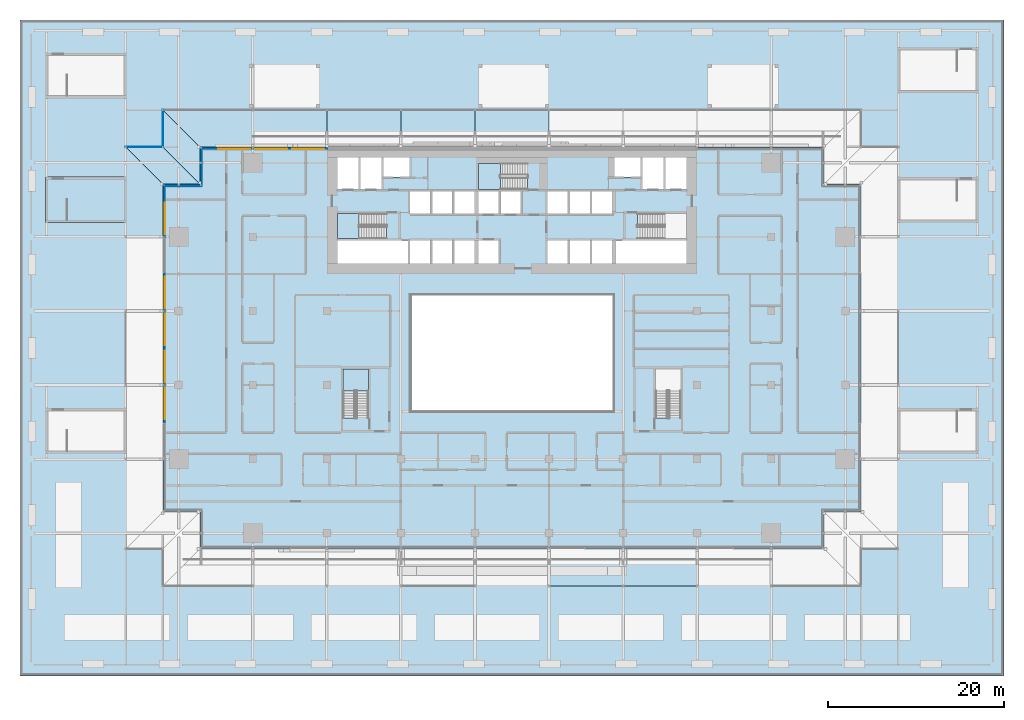
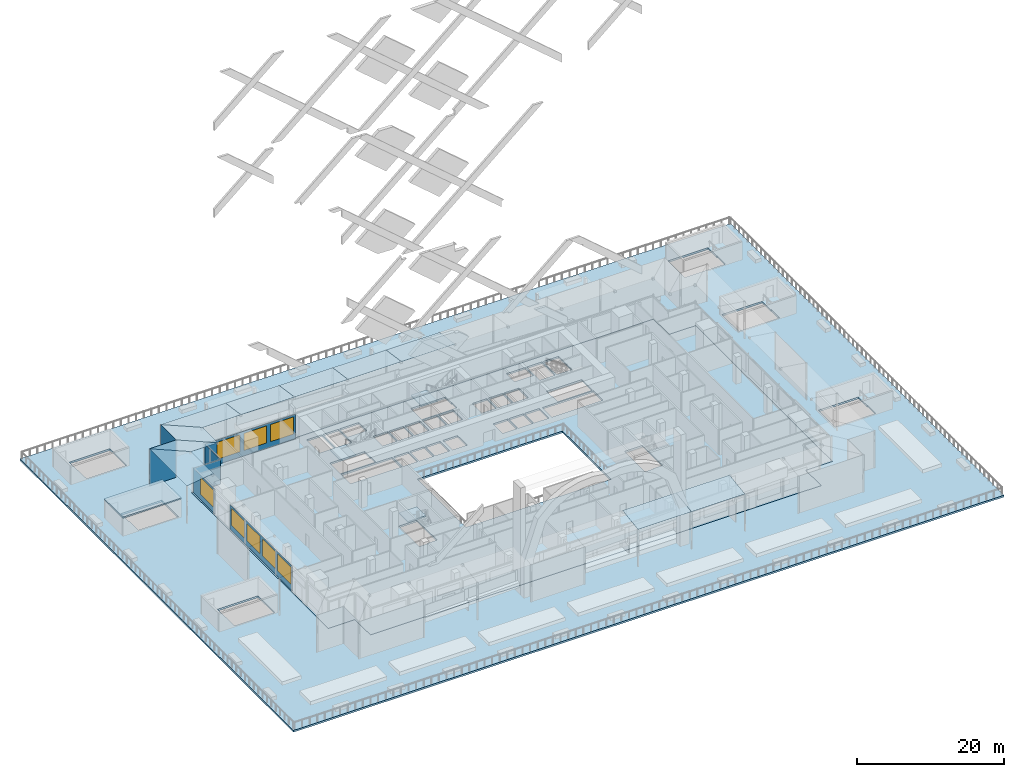
# One storey, part 19 of 60: 17 plates, 8 windows, 6 slabs, 8 openings, 7 elements without a shape of their own.
"""IFC4 building model written with IfcOpenShell, lengths in metres."""

from ifc_helpers import new_model, si_unit, direction, frame, frame_2d, origin, place, context, subcontext, project, spatial, polyline, rectangle, outline, extrude, material, layer, layer_set, type_object, element, fill, aggregate, save


model = new_model("IFC4")

# Units and contexts
model_context = context("Model", 3, precision=1e-05, world=origin(), true_north=direction((0.0, 1.0)))
body_context = subcontext(model_context, "Body", "Model", "MODEL_VIEW")
ifc_project = project(units=[si_unit("LENGTHUNIT", "METRE"), si_unit("AREAUNIT", "SQUARE_METRE"), si_unit("VOLUMEUNIT", "CUBIC_METRE"), si_unit("PLANEANGLEUNIT", "RADIAN"), si_unit("MASSUNIT", "GRAM", prefix="KILO")], contexts=[model_context])

# Site, building, storey
site_placement = place(None, origin())
site = spatial("IfcSite", under=ifc_project, at=site_placement, CompositionType="ELEMENT")
building_placement = place(site_placement, origin())
building = spatial("IfcBuilding", under=site, at=building_placement, Name="Saffron Gate Tower", CompositionType="ELEMENT")
storey_placement = place(building_placement, frame((0.0, 0.0, 19.199951171875)))
storey = spatial("IfcBuildingStorey", under=building, at=storey_placement, Name="L03", CompositionType="ELEMENT", Elevation=19.199951171875)

# Slab
ifc_material_1 = material(Name="Concrete C70", Category="concrete")
ifc_layer_1 = layer(ifc_material_1, 0.199951171875)
ifc_layer_set_1 = layer_set([ifc_layer_1], Name="CS2 Stair head-house roof slab 200")
slab_type_1 = type_object("IfcSlabType", Name="CS2 Stair head-house roof slab 200", PredefinedType="ROOF", material=ifc_layer_set_1)
slab_1_placement = place(storey_placement, frame((0.0, 0.0, 3.0)))
element("IfcSlab", 1, at=slab_1_placement, inside=storey, type_object=slab_type_1, Name="Stair head-house roof slab G", PredefinedType="ROOF", context=body_context, shape_type="SweptSolid", body=[
    extrude(outline(polyline([(34.699951171875, 67.02490234375), (43.89990234375, 67.02490234375), (43.89990234375, 72.175048828125), (34.699951171875, 72.175048828125), (34.699951171875, 67.02490234375)])), origin(), (0.0, 0.0, 1.0), 0.199951171875),
])

# Curtain wall, plate, openings, windows
ifc_material_2 = material(Name="Aluminium, bronze anodised", Category="aluminium")
curtain_wall_type = type_object("IfcCurtainWallType", Name="CWS6 curtain wall tall storeys", PredefinedType="NOTDEFINED", material=ifc_material_2)
curtain_wall_1_placement = place(storey_placement, origin())
curtain_wall_1 = element("IfcCurtainWall", 2, at=curtain_wall_1_placement, inside=storey, type_object=curtain_wall_type, Name="CWS6 run 7", PredefinedType="NOTDEFINED")
ifc_material_3 = material(Name="Fritted bronze-tinted laminated glass", Category="glass")
ifc_layer_2 = layer(ifc_material_3, 0.028076171875)
ifc_layer_set_2 = layer_set([ifc_layer_2], Name="CWS6 fixed glass")
plate_type_1 = type_object("IfcPlateType", Name="CWS6 fixed glass", PredefinedType="CURTAIN_PANEL", material=ifc_layer_set_2)
plate_1_placement = place(storey_placement, frame((66.639892578125, 75.385986328125, 0.0), z_axis=(0.0, 0.0, 1.0), x_axis=(-1.0, 0.0, 0.0)))
plate_1 = element("IfcPlate", 3, at=plate_1_placement, type_object=plate_type_1, Name="CWS6 glass panel", PredefinedType="CURTAIN_PANEL", context=body_context, shape_type="SweptSolid", body=[
    extrude(rectangle(XDim=14.2119140625, YDim=0.028076171875, at=frame_2d((7.10595703125, 0.0))), origin(), (0.0, 0.0, 1.0), 4.080078125),
])
opening_1_placement = place(plate_1_placement, frame((0.340087890625, 0.0, 0.89990234375)))
opening_1 = element("IfcOpeningElement", 4, at=opening_1_placement, cuts=plate_1, Name="Opening W3", PredefinedType="OPENING", context=body_context, shape_type="SweptSolid", body=[
    extrude(rectangle(XDim=3.60009765625, YDim=2.830078125, at=frame_2d((1.800048828125, 1.4150390625))), frame((0.0, 0.02392578125, 0.0), z_axis=(0.0, -1.0, 0.0), x_axis=(1.0, 0.0, 0.0)), (0.0, 0.0, 1.0), 0.048095703125),
])
opening_2_placement = place(plate_1_placement, frame((4.5400390625, 0.0, 0.89990234375)))
opening_2 = element("IfcOpeningElement", 5, at=opening_2_placement, cuts=plate_1, Name="Opening W3", PredefinedType="OPENING", context=body_context, shape_type="SweptSolid", body=[
    extrude(rectangle(XDim=3.60009765625, YDim=2.830078125, at=frame_2d((1.800048828125, 1.4150390625))), frame((0.0, 0.02392578125, 0.0), z_axis=(0.0, -1.0, 0.0), x_axis=(1.0, 0.0, 0.0)), (0.0, 0.0, 1.0), 0.048095703125),
])
opening_3_placement = place(plate_1_placement, frame((8.739990234375, 0.0, 0.89990234375)))
opening_3 = element("IfcOpeningElement", 6, at=opening_3_placement, cuts=plate_1, Name="Opening W3", PredefinedType="OPENING", context=body_context, shape_type="SweptSolid", body=[
    extrude(rectangle(XDim=3.60009765625, YDim=2.830078125, at=frame_2d((1.800048828125, 1.4150390625))), frame((0.0, 0.02392578125, 0.0), z_axis=(0.0, -1.0, 0.0), x_axis=(1.0, 0.0, 0.0)), (0.0, 0.0, 1.0), 0.048095703125),
])
ifc_material_4 = material(Name="Fritted bronze-tinted laminated glass in bronze frame", Category="glass")
ifc_layer_3 = layer(ifc_material_4, 0.06005859375)
ifc_layer_set_3 = layer_set([ifc_layer_3], Name="W3 operable panel 3600x2830")
window_type = type_object("IfcWindowType", Name="W3 operable panel 3600x2830", PartitioningType="DOUBLE_PANEL_HORIZONTAL", PredefinedType="WINDOW", material=ifc_layer_set_3)
window_1_placement = place(opening_1_placement, origin())
window_1 = element("IfcWindow", 7, at=window_1_placement, type_object=window_type, Name="W3 operable panel", OverallHeight=2.830078125, OverallWidth=3.60009765625, PartitioningType="SINGLE_PANEL", PredefinedType="WINDOW", context=body_context, shape_type="SweptSolid", body=[
    extrude(rectangle(XDim=3.60009765625, YDim=2.830078125, at=frame_2d((1.800048828125, 1.4150390625))), frame((0.0, 0.013671875, 0.0), z_axis=(0.0, -1.0, 0.0), x_axis=(1.0, 0.0, 0.0)), (0.0, 0.0, 1.0), 0.027587890625),
])
fill(opening_1, window_1)
window_2_placement = place(opening_2_placement, origin())
window_2 = element("IfcWindow", 8, at=window_2_placement, type_object=window_type, Name="W3 operable panel", OverallHeight=2.830078125, OverallWidth=3.60009765625, PartitioningType="SINGLE_PANEL", PredefinedType="WINDOW", context=body_context, shape_type="SweptSolid", body=[
    extrude(rectangle(XDim=3.60009765625, YDim=2.830078125, at=frame_2d((1.800048828125, 1.4150390625))), frame((0.0, 0.013671875, 0.0), z_axis=(0.0, -1.0, 0.0), x_axis=(1.0, 0.0, 0.0)), (0.0, 0.0, 1.0), 0.027587890625),
])
fill(opening_2, window_2)
window_3_placement = place(opening_3_placement, origin())
window_3 = element("IfcWindow", 9, at=window_3_placement, type_object=window_type, Name="W3 operable panel", OverallHeight=2.830078125, OverallWidth=3.60009765625, PartitioningType="SINGLE_PANEL", PredefinedType="WINDOW", context=body_context, shape_type="SweptSolid", body=[
    extrude(rectangle(XDim=3.60009765625, YDim=2.830078125, at=frame_2d((1.800048828125, 1.4150390625))), frame((0.0, 0.013671875, 0.0), z_axis=(0.0, -1.0, 0.0), x_axis=(1.0, 0.0, 0.0)), (0.0, 0.0, 1.0), 0.027587890625),
])
fill(opening_3, window_3)
aggregate(curtain_wall_1, [plate_1, window_1, window_2, window_3])

# Curtain wall, plate
curtain_wall_2_placement = place(storey_placement, origin())
curtain_wall_2 = element("IfcCurtainWall", 10, at=curtain_wall_2_placement, inside=storey, type_object=curtain_wall_type, Name="CWS6 run 8", PredefinedType="NOTDEFINED")
plate_2_placement = place(storey_placement, frame((52.4140625, 75.3720703125, 0.0), z_axis=(0.0, 0.0, 1.0), x_axis=(0.0, -1.0, 0.0)))
plate_2 = element("IfcPlate", 11, at=plate_2_placement, type_object=plate_type_1, Name="CWS6 glass panel", PredefinedType="CURTAIN_PANEL", context=body_context, shape_type="SweptSolid", body=[
    extrude(rectangle(XDim=4.172119140625, YDim=0.028076171875, at=frame_2d((2.0859375, 0.0))), origin(), (0.0, 0.0, 1.0), 4.080078125),
])
aggregate(curtain_wall_2, [plate_2])

curtain_wall_3_placement = place(storey_placement, origin())
curtain_wall_3 = element("IfcCurtainWall", 12, at=curtain_wall_3_placement, inside=storey, type_object=curtain_wall_type, Name="CWS6 run 9", PredefinedType="NOTDEFINED")
plate_3_placement = place(storey_placement, frame((52.39990234375, 71.18603515625, 0.0), z_axis=(0.0, 0.0, 1.0), x_axis=(-1.0, 0.0, 0.0)))
plate_3 = element("IfcPlate", 13, at=plate_3_placement, type_object=plate_type_1, Name="CWS6 glass panel", PredefinedType="CURTAIN_PANEL", context=body_context, shape_type="SweptSolid", body=[
    extrude(rectangle(XDim=4.171875, YDim=0.028076171875, at=frame_2d((2.0859375, 0.0))), origin(), (0.0, 0.0, 1.0), 4.080078125),
])
aggregate(curtain_wall_3, [plate_3])

# Curtain wall, plates, openings, windows
curtain_wall_4_placement = place(storey_placement, origin())
curtain_wall_4 = element("IfcCurtainWall", 14, at=curtain_wall_4_placement, inside=storey, type_object=curtain_wall_type, Name="CWS6 run 10", PredefinedType="NOTDEFINED")
plate_4_placement = place(storey_placement, frame((48.214111328125, 71.172119140625, 0.0), z_axis=(0.0, 0.0, 1.0), x_axis=(0.0, -1.0, 0.0)))
plate_4 = element("IfcPlate", 15, at=plate_4_placement, type_object=plate_type_1, Name="CWS6 glass panel", PredefinedType="CURTAIN_PANEL", context=body_context, shape_type="SweptSolid", body=[
    extrude(rectangle(XDim=5.81201171875, YDim=0.028076171875, at=frame_2d((2.906005859375, 0.0))), origin(), (0.0, 0.0, 1.0), 4.080078125),
])
opening_4_placement = place(plate_4_placement, frame((1.8720703125, 0.0, 0.89990234375)))
opening_4 = element("IfcOpeningElement", 16, at=opening_4_placement, cuts=plate_4, Name="Opening W3", PredefinedType="OPENING", context=body_context, shape_type="SweptSolid", body=[
    extrude(rectangle(XDim=3.60009765625, YDim=2.830078125, at=frame_2d((1.800048828125, 1.4150390625))), frame((0.0, 0.02392578125, 0.0), z_axis=(0.0, -1.0, 0.0), x_axis=(1.0, 0.0, 0.0)), (0.0, 0.0, 1.0), 0.048095703125),
])
window_4_placement = place(opening_4_placement, origin())
window_4 = element("IfcWindow", 17, at=window_4_placement, type_object=window_type, Name="W3 operable panel", OverallHeight=2.830078125, OverallWidth=3.60009765625, PartitioningType="SINGLE_PANEL", PredefinedType="WINDOW", context=body_context, shape_type="SweptSolid", body=[
    extrude(rectangle(XDim=3.60009765625, YDim=2.830078125, at=frame_2d((1.800048828125, 1.4150390625))), frame((0.0, 0.013671875, 0.0), z_axis=(0.0, -1.0, 0.0), x_axis=(1.0, 0.0, 0.0)), (0.0, 0.0, 1.0), 0.027587890625),
])
fill(opening_4, window_4)
plate_5_placement = place(storey_placement, frame((48.214111328125, 61.239990234375, 0.0), z_axis=(0.0, 0.0, 1.0), x_axis=(0.0, -1.0, 0.0)))
plate_5 = element("IfcPlate", 18, at=plate_5_placement, type_object=plate_type_1, Name="CWS6 glass panel", PredefinedType="CURTAIN_PANEL", context=body_context, shape_type="SweptSolid", body=[
    extrude(rectangle(XDim=16.8798828125, YDim=0.028076171875, at=frame_2d((8.43994140625, 0.0))), origin(), (0.0, 0.0, 1.0), 4.080078125),
])
opening_5_placement = place(plate_5_placement, frame((0.340087890625, 0.0, 0.89990234375)))
opening_5 = element("IfcOpeningElement", 19, at=opening_5_placement, cuts=plate_5, Name="Opening W3", PredefinedType="OPENING", context=body_context, shape_type="SweptSolid", body=[
    extrude(rectangle(XDim=3.60009765625, YDim=2.830078125, at=frame_2d((1.800048828125, 1.4150390625))), frame((0.0, 0.02392578125, 0.0), z_axis=(0.0, -1.0, 0.0), x_axis=(1.0, 0.0, 0.0)), (0.0, 0.0, 1.0), 0.048095703125),
])
opening_6_placement = place(plate_5_placement, frame((4.5400390625, 0.0, 0.89990234375)))
opening_6 = element("IfcOpeningElement", 20, at=opening_6_placement, cuts=plate_5, Name="Opening W3", PredefinedType="OPENING", context=body_context, shape_type="SweptSolid", body=[
    extrude(rectangle(XDim=3.60009765625, YDim=2.830078125, at=frame_2d((1.800048828125, 1.4150390625))), frame((0.0, 0.02392578125, 0.0), z_axis=(0.0, -1.0, 0.0), x_axis=(1.0, 0.0, 0.0)), (0.0, 0.0, 1.0), 0.048095703125),
])
opening_7_placement = place(plate_5_placement, frame((8.739990234375, 0.0, 0.89990234375)))
opening_7 = element("IfcOpeningElement", 21, at=opening_7_placement, cuts=plate_5, Name="Opening W3", PredefinedType="OPENING", context=body_context, shape_type="SweptSolid", body=[
    extrude(rectangle(XDim=3.60009765625, YDim=2.830078125, at=frame_2d((1.800048828125, 1.4150390625))), frame((0.0, 0.02392578125, 0.0), z_axis=(0.0, -1.0, 0.0), x_axis=(1.0, 0.0, 0.0)), (0.0, 0.0, 1.0), 0.048095703125),
])
opening_8_placement = place(plate_5_placement, frame((12.93994140625, 0.0, 0.89990234375)))
opening_8 = element("IfcOpeningElement", 22, at=opening_8_placement, cuts=plate_5, Name="Opening W3", PredefinedType="OPENING", context=body_context, shape_type="SweptSolid", body=[
    extrude(rectangle(XDim=3.60009765625, YDim=2.830078125, at=frame_2d((1.800048828125, 1.4150390625))), frame((0.0, 0.02392578125, 0.0), z_axis=(0.0, -1.0, 0.0), x_axis=(1.0, 0.0, 0.0)), (0.0, 0.0, 1.0), 0.048095703125),
])
window_5_placement = place(opening_5_placement, origin())
window_5 = element("IfcWindow", 23, at=window_5_placement, type_object=window_type, Name="W3 operable panel", OverallHeight=2.830078125, OverallWidth=3.60009765625, PartitioningType="SINGLE_PANEL", PredefinedType="WINDOW", context=body_context, shape_type="SweptSolid", body=[
    extrude(rectangle(XDim=3.60009765625, YDim=2.830078125, at=frame_2d((1.800048828125, 1.4150390625))), frame((0.0, 0.013671875, 0.0), z_axis=(0.0, -1.0, 0.0), x_axis=(1.0, 0.0, 0.0)), (0.0, 0.0, 1.0), 0.027587890625),
])
fill(opening_5, window_5)
window_6_placement = place(opening_6_placement, origin())
window_6 = element("IfcWindow", 24, at=window_6_placement, type_object=window_type, Name="W3 operable panel", OverallHeight=2.830078125, OverallWidth=3.60009765625, PartitioningType="SINGLE_PANEL", PredefinedType="WINDOW", context=body_context, shape_type="SweptSolid", body=[
    extrude(rectangle(XDim=3.60009765625, YDim=2.830078125, at=frame_2d((1.800048828125, 1.4150390625))), frame((0.0, 0.013671875, 0.0), z_axis=(0.0, -1.0, 0.0), x_axis=(1.0, 0.0, 0.0)), (0.0, 0.0, 1.0), 0.027587890625),
])
fill(opening_6, window_6)
window_7_placement = place(opening_7_placement, origin())
window_7 = element("IfcWindow", 25, at=window_7_placement, type_object=window_type, Name="W3 operable panel", OverallHeight=2.830078125, OverallWidth=3.60009765625, PartitioningType="SINGLE_PANEL", PredefinedType="WINDOW", context=body_context, shape_type="SweptSolid", body=[
    extrude(rectangle(XDim=3.60009765625, YDim=2.830078125, at=frame_2d((1.800048828125, 1.4150390625))), frame((0.0, 0.013671875, 0.0), z_axis=(0.0, -1.0, 0.0), x_axis=(1.0, 0.0, 0.0)), (0.0, 0.0, 1.0), 0.027587890625),
])
fill(opening_7, window_7)
window_8_placement = place(opening_8_placement, origin())
window_8 = element("IfcWindow", 26, at=window_8_placement, type_object=window_type, Name="W3 operable panel", OverallHeight=2.830078125, OverallWidth=3.60009765625, PartitioningType="SINGLE_PANEL", PredefinedType="WINDOW", context=body_context, shape_type="SweptSolid", body=[
    extrude(rectangle(XDim=3.60009765625, YDim=2.830078125, at=frame_2d((1.800048828125, 1.4150390625))), frame((0.0, 0.013671875, 0.0), z_axis=(0.0, -1.0, 0.0), x_axis=(1.0, 0.0, 0.0)), (0.0, 0.0, 1.0), 0.027587890625),
])
fill(opening_8, window_8)
aggregate(curtain_wall_4, [plate_4, plate_5, window_4, window_5, window_6, window_7, window_8])

# Plates
ifc_material_5 = material(Name="Laminated glass with a ceramic frit", Category="glass")
ifc_layer_4 = layer(ifc_material_5, 0.030029296875)
ifc_layer_set_4 = layer_set([ifc_layer_4], Name="HL2 hall roof glass")
plate_type_2 = type_object("IfcPlateType", Name="HL2 hall roof glass", PredefinedType="SHEET", material=ifc_layer_set_4)
plate_6_placement = place(storey_placement, frame((91.800048828125, 30.0, 6.800048828125), z_axis=(0.0, -0.141445525081, 0.989946040668), x_axis=(1.0, 0.0, 0.0)))
element("IfcPlate", 27, at=plate_6_placement, inside=storey, type_object=plate_type_2, Name="HALL ROOF glass", PredefinedType="SHEET", context=body_context, shape_type="SweptSolid", body=[
    extrude(outline(polyline([(0.0, 0.0), (8.39990234375, 0.0), (8.39990234375, -4.2426061616854005), (0.0, -4.2426061616854005), (0.0, 0.0)])), origin(), (0.0, 0.0, -1.0), 0.030029296875),
])
for number, where, z_axis, x_axis, name in (
    (28, (100.199951171875, 30.0, 6.800048828125), (0.0, -0.141445525081, 0.989946040668), (1.0, 0.0, 0.0), "HALL ROOF glass"),
    (29, (91.800048828125, 75.60009765625, 6.800048828125), (0.0, 0.141445525081, 0.989946040668), (-1.0, 0.0, 0.0), "HALL ROOF glass"),
):
    element("IfcPlate", number, at=place(storey_placement, frame(where, z_axis=z_axis, x_axis=x_axis)), inside=storey, type_object=plate_type_2, Name=name, PredefinedType="SHEET", context=body_context, shape_type="SweptSolid", body=[
        extrude(outline(polyline([(0.0, 0.0), (8.400146484375, 0.0), (8.400146484375, -4.2426061616854005), (0.0, -4.2426061616854005), (0.0, 0.0)])), origin(), (0.0, 0.0, -1.0), 0.030029296875),
    ])
for number, where, z_axis, x_axis, name in (
    (30, (83.39990234375, 75.60009765625, 6.800048828125), (0.0, 0.141445525081, 0.989946040668), (-1.0, 0.0, 0.0), "HALL ROOF glass"),
    (31, (75.0, 75.60009765625, 6.800048828125), (0.0, 0.141445525081, 0.989946040668), (-1.0, 0.0, 0.0), "HALL ROOF glass"),
):
    element("IfcPlate", number, at=place(storey_placement, frame(where, z_axis=z_axis, x_axis=x_axis)), inside=storey, type_object=plate_type_2, Name=name, PredefinedType="SHEET", context=body_context, shape_type="SweptSolid", body=[
        extrude(outline(polyline([(0.0, 0.0), (8.39990234375, 0.0), (8.39990234375, -4.2426061616854005), (0.0, -4.2426061616854005), (0.0, 0.0)])), origin(), (0.0, 0.0, -1.0), 0.030029296875),
    ])
plate_7_placement = place(storey_placement, frame((66.60009765625, 75.60009765625, 6.800048828125), z_axis=(0.0, 0.141445525081, 0.989946040668), x_axis=(-1.0, 0.0, 0.0)))
element("IfcPlate", 32, at=plate_7_placement, inside=storey, type_object=plate_type_2, Name="HALL ROOF glass", PredefinedType="SHEET", context=body_context, shape_type="SweptSolid", body=[
    extrude(outline(polyline([(0.0, 0.0), (8.400146484375, 0.0), (8.400146484375, -4.2426061616854005), (0.0, -4.2426061616854005), (0.0, 0.0)])), origin(), (0.0, 0.0, -1.0), 0.030029296875),
])
plate_8_placement = place(storey_placement, frame((58.199951171875, 75.60009765625, 6.800048828125), z_axis=(0.0, 0.141445525081, 0.989946040668), x_axis=(-1.0, 0.0, 0.0)))
element("IfcPlate", 33, at=plate_8_placement, inside=storey, type_object=plate_type_2, Name="HALL ROOF glass", PredefinedType="SHEET", context=body_context, shape_type="SweptSolid", body=[
    extrude(outline(polyline([(0.0, 0.0), (6.0, 0.0), (10.199951171875, -4.2426061616854005), (0.0, -4.2426061616854005), (0.0, 0.0)])), origin(), (0.0, 0.0, -1.0), 0.030029296875),
])
plate_9_placement = place(storey_placement, frame((52.199951171875, 75.60009765625, 6.800048828125), z_axis=(-0.141445525081, 0.0, 0.989946040668), x_axis=(0.0, -1.0, 0.0)))
element("IfcPlate", 34, at=plate_9_placement, inside=storey, type_object=plate_type_2, Name="HALL ROOF glass", PredefinedType="SHEET", context=body_context, shape_type="SweptSolid", body=[
    extrude(outline(polyline([(0.0, 0.0), (4.2001953125, 0.0), (0.0, -4.2426061616854005), (-4.199951171875, -4.2426061616854005), (0.0, 0.0)])), origin(), (0.0, 0.0, -1.0), 0.030029296875),
])
plate_10_placement = place(storey_placement, frame((52.199951171875, 71.39990234375, 6.800048828125), z_axis=(0.0, 0.141437467891, 0.989947191863), x_axis=(-1.0, 0.0, 0.0)))
element("IfcPlate", 35, at=plate_10_placement, inside=storey, type_object=plate_type_2, Name="HALL ROOF glass", PredefinedType="SHEET", context=body_context, shape_type="SweptSolid", body=[
    extrude(outline(polyline([(0.0, 0.0), (4.199951171875, 0.0), (8.39990234375, -4.242847847871016), (4.199951171875, -4.242847847871016), (0.0, 0.0)])), origin(), (0.0, 0.0, -1.0), 0.030029296875),
])
plate_11_placement = place(storey_placement, frame((48.0, 71.39990234375, 6.800048828125), z_axis=(-0.141445525081, 0.0, 0.989946040668), x_axis=(0.0, -1.0, 0.0)))
element("IfcPlate", 36, at=plate_11_placement, inside=storey, type_object=plate_type_2, Name="HALL ROOF glass", PredefinedType="SHEET", context=body_context, shape_type="SweptSolid", body=[
    extrude(outline(polyline([(0.0, 0.0), (6.0, 0.0), (6.0, -4.2426061616854005), (-4.2001953125, -4.2426061616854005), (0.0, 0.0)])), origin(), (0.0, 0.0, -1.0), 0.030029296875),
])
ifc_material_6 = material(Name="Toughened clear glass", Category="glass")
ifc_layer_5 = layer(ifc_material_6, 0.02001953125)
ifc_layer_set_5 = layer_set([ifc_layer_5], Name="HL3 hall screen glass")
plate_type_3 = type_object("IfcPlateType", Name="HL3 hall screen glass", PredefinedType="SHEET", material=ifc_layer_set_5)
for number, where, z_axis, x_axis, name in (
    (37, (48.0, 79.800048828125, 0.0), (-1.0, 0.0, 0.0), (0.0, -1.0, 0.0), "HALL SCREEN glass"),
    (38, (48.0, 75.60009765625, 0.0), (0.0, 1.0, 0.0), (-1.0, 0.0, 0.0), "HALL SCREEN glass"),
):
    element("IfcPlate", number, at=place(storey_placement, frame(where, z_axis=z_axis, x_axis=x_axis)), inside=storey, type_object=plate_type_3, Name=name, PredefinedType="SHEET", context=body_context, shape_type="SweptSolid", body=[
        extrude(outline(polyline([(0.0, 0.0), (4.199951171875, 0.0), (4.199951171875, 6.199951171875), (0.0, 6.199951171875), (0.0, 0.0)])), origin(), (0.0, 0.0, -1.0), 0.02001953125),
    ])

# Slabs
ifc_material_7 = material(Name="Concrete C40", Category="concrete")
ifc_layer_6 = layer(ifc_material_7, 0.300048828125)
ifc_layer_set_6 = layer_set([ifc_layer_6], Name="S3 FLOOR SLAB 300 CONCRETE C40")
slab_type_2 = type_object("IfcSlabType", Name="S3 FLOOR SLAB 300 CONCRETE C40", PredefinedType="FLOOR", material=ifc_layer_set_6)
slab_2_placement = place(storey_placement, frame((0.0, 0.0, -0.300048828125)))
element("IfcSlab", 39, at=slab_2_placement, inside=storey, type_object=slab_type_2, Name="S3 FLOOR SLAB", PredefinedType="FLOOR", context=body_context, shape_type="SweptSolid", body=[
    extrude(outline(polyline([(48.0, 34.199951171875), (52.199951171875, 34.199951171875), (52.199951171875, 30.0), (123.0, 30.0), (123.0, 34.199951171875), (127.199951171875, 34.199951171875), (127.199951171875, 71.39990234375), (123.0, 71.39990234375), (123.0, 75.60009765625), (52.199951171875, 75.60009765625), (52.199951171875, 71.39990234375), (48.0, 71.39990234375), (48.0, 34.199951171875)]), holes=[polyline([(67.800048828125, 62.39990234375), (67.800048828125, 65.0), (75.800048828125, 65.0), (75.800048828125, 62.39990234375), (67.800048828125, 62.39990234375)]), polyline([(67.800048828125, 65.199951171875), (67.800048828125, 68.050048828125), (73.25, 68.050048828125), (73.25, 66.550048828125), (73.34912109375, 66.550048828125), (73.34912109375, 65.199951171875), (67.800048828125, 65.199951171875)]), polyline([(67.800048828125, 70.800048828125), (67.800048828125, 74.39990234375), (70.199951171875, 74.39990234375), (70.199951171875, 70.800048828125), (67.800048828125, 70.800048828125)]), polyline([(68.449951171875, 44.85107421875), (68.449951171875, 50.39990234375), (71.300048828125, 50.39990234375), (71.300048828125, 44.949951171875), (69.800048828125, 44.949951171875), (69.800048828125, 44.85107421875), (68.449951171875, 44.85107421875)]), polyline([(70.39990234375, 70.800048828125), (70.39990234375, 74.39990234375), (72.800048828125, 74.39990234375), (72.800048828125, 70.800048828125), (70.39990234375, 70.800048828125)]), polyline([(73.0, 72.199951171875), (73.0, 74.39990234375), (76.0, 74.39990234375), (76.0, 72.199951171875), (73.0, 72.199951171875)]), polyline([(76.050048828125, 62.39990234375), (76.050048828125, 65.0), (78.35009765625, 65.0), (78.35009765625, 62.39990234375), (76.050048828125, 62.39990234375)]), polyline([(76.050048828125, 68.0), (76.050048828125, 70.60009765625), (78.35009765625, 70.60009765625), (78.35009765625, 68.0), (76.050048828125, 68.0)]), polyline([(76.199951171875, 45.60009765625), (76.199951171875, 58.800048828125), (99.0, 58.800048828125), (99.0, 45.60009765625), (76.199951171875, 45.60009765625)]), polyline([(78.550048828125, 62.39990234375), (78.550048828125, 65.0), (80.85009765625, 65.0), (80.85009765625, 62.39990234375), (78.550048828125, 62.39990234375)]), polyline([(78.550048828125, 68.0), (78.550048828125, 70.60009765625), (80.85009765625, 70.60009765625), (80.85009765625, 68.0), (78.550048828125, 68.0)]), polyline([(81.050048828125, 62.39990234375), (81.050048828125, 65.0), (83.35009765625, 65.0), (83.35009765625, 62.39990234375), (81.050048828125, 62.39990234375)]), polyline([(81.050048828125, 68.0), (81.050048828125, 70.60009765625), (83.35009765625, 70.60009765625), (83.35009765625, 68.0), (81.050048828125, 68.0)]), polyline([(83.800048828125, 62.39990234375), (83.800048828125, 65.0), (86.10009765625, 65.0), (86.10009765625, 62.39990234375), (83.800048828125, 62.39990234375)]), polyline([(83.800048828125, 68.0), (83.800048828125, 70.60009765625), (86.10009765625, 70.60009765625), (86.10009765625, 68.0), (83.800048828125, 68.0)]), polyline([(83.800048828125, 70.800048828125), (83.800048828125, 73.75), (89.25, 73.75), (89.25, 72.14990234375), (89.34912109375, 72.14990234375), (89.34912109375, 70.800048828125), (83.800048828125, 70.800048828125)]), polyline([(86.300048828125, 68.0), (86.300048828125, 70.60009765625), (88.60009765625, 70.60009765625), (88.60009765625, 68.0), (86.300048828125, 68.0)]), polyline([(91.64990234375, 62.39990234375), (91.64990234375, 65.0), (93.949951171875, 65.0), (93.949951171875, 62.39990234375), (91.64990234375, 62.39990234375)]), polyline([(91.64990234375, 68.0), (91.64990234375, 70.60009765625), (93.949951171875, 70.60009765625), (93.949951171875, 68.0), (91.64990234375, 68.0)]), polyline([(94.14990234375, 62.39990234375), (94.14990234375, 65.0), (96.449951171875, 65.0), (96.449951171875, 62.39990234375), (94.14990234375, 62.39990234375)]), polyline([(94.14990234375, 68.0), (94.14990234375, 70.60009765625), (96.449951171875, 70.60009765625), (96.449951171875, 68.0), (94.14990234375, 68.0)]), polyline([(96.64990234375, 62.39990234375), (96.64990234375, 65.0), (98.949951171875, 65.0), (98.949951171875, 62.39990234375), (96.64990234375, 62.39990234375)]), polyline([(96.64990234375, 68.0), (96.64990234375, 70.60009765625), (98.949951171875, 70.60009765625), (98.949951171875, 68.0), (96.64990234375, 68.0)]), polyline([(99.199951171875, 72.199951171875), (99.199951171875, 74.39990234375), (102.199951171875, 74.39990234375), (102.199951171875, 72.199951171875), (99.199951171875, 72.199951171875)]), polyline([(99.39990234375, 62.39990234375), (99.39990234375, 65.0), (107.39990234375, 65.0), (107.39990234375, 62.39990234375), (99.39990234375, 62.39990234375)]), polyline([(101.85107421875, 66.699951171875), (101.85107421875, 68.050048828125), (107.39990234375, 68.050048828125), (107.39990234375, 65.199951171875), (101.949951171875, 65.199951171875), (101.949951171875, 66.699951171875), (101.85107421875, 66.699951171875)]), polyline([(102.39990234375, 70.800048828125), (102.39990234375, 74.39990234375), (104.800048828125, 74.39990234375), (104.800048828125, 70.800048828125), (102.39990234375, 70.800048828125)]), polyline([(103.89990234375, 44.85107421875), (103.89990234375, 50.39990234375), (106.75, 50.39990234375), (106.75, 44.949951171875), (105.25, 44.949951171875), (105.25, 44.85107421875), (103.89990234375, 44.85107421875)]), polyline([(105.0, 70.800048828125), (105.0, 74.39990234375), (107.39990234375, 74.39990234375), (107.39990234375, 70.800048828125), (105.0, 70.800048828125)])]), origin(), (0.0, 0.0, 1.0), 0.300048828125),
])
ifc_layer_7 = layer(ifc_material_7, 0.300048828125)
ifc_layer_set_7 = layer_set([ifc_layer_7], Name="S5 ROOF SLAB 300 CONCRETE C40")
slab_type_3 = type_object("IfcSlabType", Name="S5 ROOF SLAB 300 CONCRETE C40", PredefinedType="ROOF", material=ifc_layer_set_7)
slab_3_placement = place(storey_placement, frame((0.0, 0.0, -0.300048828125)))
element("IfcSlab", 40, at=slab_3_placement, inside=storey, type_object=slab_type_3, Name="S5 PLAY DECK SLAB", PredefinedType="ROOF", context=body_context, shape_type="SweptSolid", body=[
    extrude(outline(polyline([(31.800048828125, 15.60009765625), (143.39990234375, 15.60009765625), (143.39990234375, 90.0), (31.800048828125, 90.0), (31.800048828125, 15.60009765625)]), holes=[polyline([(37.200927734375, 43.47509765625), (37.200927734375, 45.675048828125), (43.60009765625, 45.675048828125), (43.60009765625, 41.125), (37.300048828125, 41.125), (37.300048828125, 43.47509765625), (37.200927734375, 43.47509765625)]), polyline([(37.200927734375, 69.675048828125), (37.200927734375, 71.875), (43.60009765625, 71.875), (43.60009765625, 67.324951171875), (37.300048828125, 67.324951171875), (37.300048828125, 69.675048828125), (37.200927734375, 69.675048828125)]), polyline([(37.200927734375, 83.77490234375), (37.200927734375, 85.97509765625), (43.60009765625, 85.97509765625), (43.60009765625, 81.425048828125), (37.300048828125, 81.425048828125), (37.300048828125, 83.77490234375), (37.200927734375, 83.77490234375)]), polyline([(48.0, 34.199951171875), (48.0, 71.39990234375), (52.199951171875, 71.39990234375), (52.199951171875, 75.60009765625), (123.0, 75.60009765625), (123.0, 71.39990234375), (127.199951171875, 71.39990234375), (127.199951171875, 34.199951171875), (123.0, 34.199951171875), (123.0, 30.0), (52.199951171875, 30.0), (52.199951171875, 34.199951171875), (48.0, 34.199951171875)]), polyline([(131.60009765625, 41.125), (131.60009765625, 45.675048828125), (137.89990234375, 45.675048828125), (137.89990234375, 43.324951171875), (137.9990234375, 43.324951171875), (137.9990234375, 41.125), (131.60009765625, 41.125)]), polyline([(131.60009765625, 67.324951171875), (131.60009765625, 71.875), (137.89990234375, 71.875), (137.89990234375, 69.52490234375), (137.9990234375, 69.52490234375), (137.9990234375, 67.324951171875), (131.60009765625, 67.324951171875)]), polyline([(131.60009765625, 82.02490234375), (131.60009765625, 86.574951171875), (137.89990234375, 86.574951171875), (137.89990234375, 84.22509765625), (137.9990234375, 84.22509765625), (137.9990234375, 82.02490234375), (131.60009765625, 82.02490234375)])]), origin(), (0.0, 0.0, 1.0), 0.300048828125),
])

# Stair, slab
stair_type = type_object("IfcStairType", Name="ST6 Stair 1350 wide, 24 risers of 188", PredefinedType="HALF_TURN_STAIR", material=ifc_material_7)
stair_1_placement = place(storey_placement, origin())
stair_1 = element("IfcStair", 41, at=stair_1_placement, inside=storey, type_object=stair_type, Name="L03 Exit stair A", PredefinedType="HALF_TURN_STAIR")
ifc_layer_8 = layer(ifc_material_7, 0.199951171875)
ifc_layer_set_8 = layer_set([ifc_layer_8], Name="SL1 Stair landing 200")
slab_type_4 = type_object("IfcSlabType", Name="SL1 Stair landing 200", PredefinedType="LANDING", material=ifc_layer_set_8)
slab_4_placement = place(storey_placement, frame((0.0, 0.0, 2.050048828125)))
slab_4 = element("IfcSlab", 42, at=slab_4_placement, type_object=slab_type_4, Name="ST-A landing 1", PredefinedType="LANDING", context=body_context, shape_type="SweptSolid", body=[
    extrude(outline(polyline([(70.27001953125, 68.050048828125), (67.800048828125, 68.050048828125), (67.800048828125, 65.199951171875), (70.27001953125, 65.199951171875), (70.27001953125, 68.050048828125)])), origin(), (0.0, 0.0, 1.0), 0.199951171875),
])
aggregate(stair_1, [slab_4])

stair_2_placement = place(storey_placement, origin())
stair_2 = element("IfcStair", 43, at=stair_2_placement, inside=storey, type_object=stair_type, Name="L03 Exit stair C", PredefinedType="HALF_TURN_STAIR")
slab_5_placement = place(storey_placement, frame((0.0, 0.0, 2.050048828125)))
slab_5 = element("IfcSlab", 44, at=slab_5_placement, type_object=slab_type_4, Name="ST-C landing 1", PredefinedType="LANDING", context=body_context, shape_type="SweptSolid", body=[
    extrude(outline(polyline([(86.27001953125, 73.75), (83.800048828125, 73.75), (83.800048828125, 70.800048828125), (86.27001953125, 70.800048828125), (86.27001953125, 73.75)])), origin(), (0.0, 0.0, 1.0), 0.199951171875),
])
aggregate(stair_2, [slab_5])

stair_3_placement = place(storey_placement, origin())
stair_3 = element("IfcStair", 45, at=stair_3_placement, inside=storey, type_object=stair_type, Name="L03 Exit stair D", PredefinedType="HALF_TURN_STAIR")
slab_6_placement = place(storey_placement, frame((0.0, 0.0, 2.050048828125)))
slab_6 = element("IfcSlab", 46, at=slab_6_placement, type_object=slab_type_4, Name="ST-D landing 1", PredefinedType="LANDING", context=body_context, shape_type="SweptSolid", body=[
    extrude(outline(polyline([(71.300048828125, 47.929931640625), (71.300048828125, 50.39990234375), (68.449951171875, 50.39990234375), (68.449951171875, 47.929931640625), (71.300048828125, 47.929931640625)])), origin(), (0.0, 0.0, 1.0), 0.199951171875),
])
aggregate(stair_3, [slab_6])

save(model, "model.ifc")
